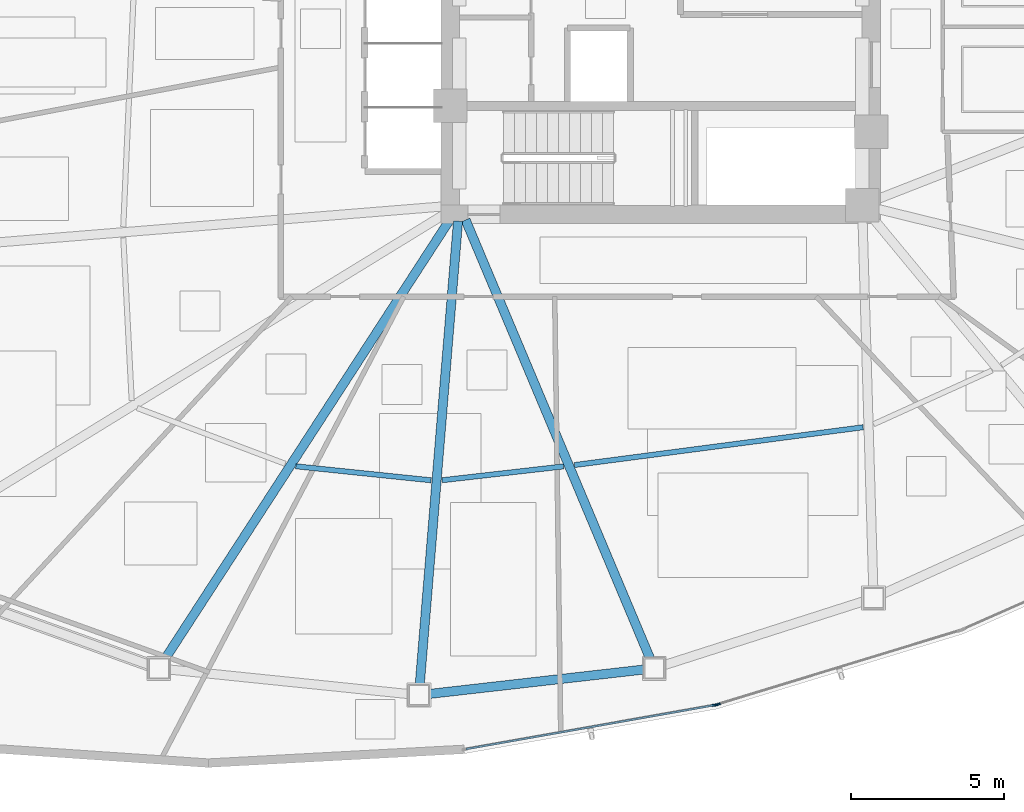
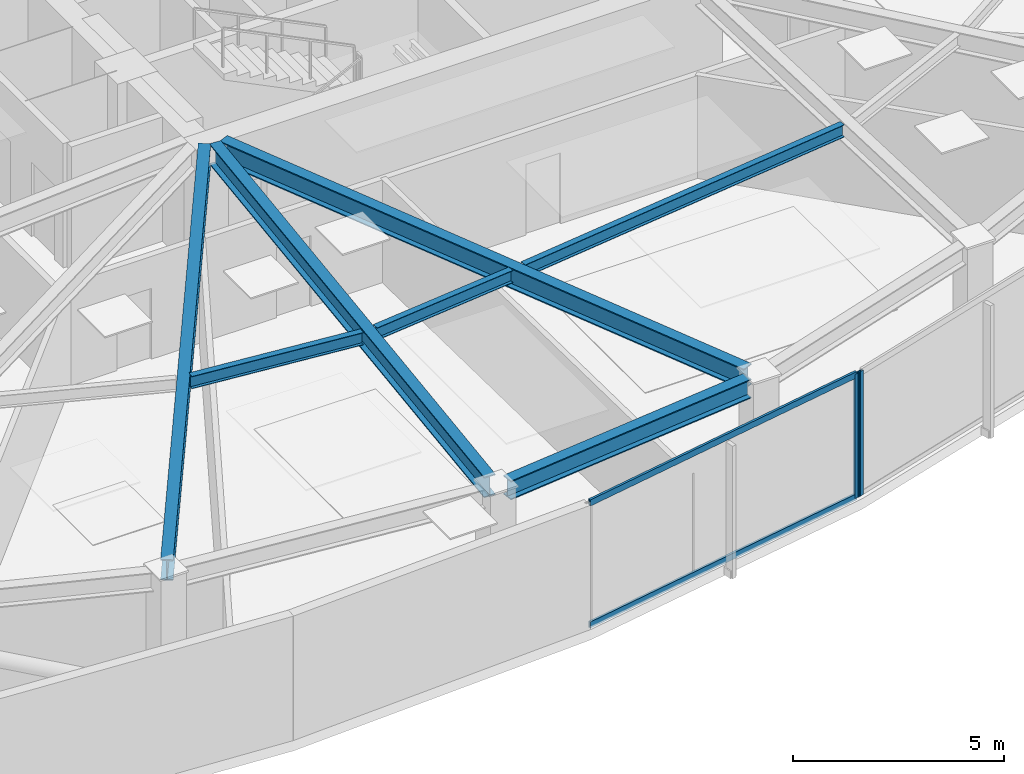
# One storey, part 3 of 17: 7 beams, 4 members, 2 elements without a shape of their own.
"""IFC4 building model written with IfcOpenShell, lengths in metres."""

from ifc_helpers import new_model, si_unit, direction, frame, origin, origin_2d, place, context, subcontext, project, spatial, hollow_rectangle, i_section, extrude, source, transform, mapped, material, layer, layer_set, material_profile, profile_set, type_object, type_shapes, element, aggregate, save


model = new_model("IFC4")

# Units and contexts
model_context = context("Model", 3, precision=1e-05, world=origin(), true_north=direction((0.0, 1.0)))
body_context = subcontext(model_context, "Body", "Model", "MODEL_VIEW")
ifc_project = project(units=[si_unit("LENGTHUNIT", "METRE"), si_unit("AREAUNIT", "SQUARE_METRE"), si_unit("VOLUMEUNIT", "CUBIC_METRE"), si_unit("PLANEANGLEUNIT", "RADIAN"), si_unit("MASSUNIT", "GRAM", prefix="KILO")], contexts=[model_context])

# Site, building, storey
site_placement = place(None, origin())
site = spatial("IfcSite", under=ifc_project, at=site_placement, CompositionType="ELEMENT")
building_placement = place(site_placement, origin())
building = spatial("IfcBuilding", under=site, at=building_placement, Name="Tavelor Broadcast Tower", CompositionType="ELEMENT")
storey_placement = place(building_placement, frame((0.0, 0.0, 82.199951171875)))
storey = spatial("IfcBuildingStorey", under=building, at=storey_placement, Name="L19", CompositionType="ELEMENT", Elevation=82.199951171875)

# Beams
ifc_material_1 = material(Name="Steel S355", Category="steel")
ifc_material_profile_1 = material_profile(ifc_material_1, i_section(OverallWidth=0.169921875, OverallDepth=0.360107421875, WebThickness=0.008056640625, FlangeThickness=0.0126953125, at=origin_2d()), Name="IPE 360")
ifc_profile_set_1 = profile_set([ifc_material_profile_1], Name="Steel S355")
beam_type_1 = type_object("IfcBeamType", Name="Composite Floor Joist T2 IPE 360", PredefinedType="JOIST", material=ifc_profile_set_1)
beam_1_placement = place(storey_placement, frame((38.04052734375, 30.240966796875, 3.420166015625), z_axis=(0.99467108558, -0.103099134387, 0.0), x_axis=(0.103099134387, 0.99467108558, 0.0)))
element("IfcBeam", 1, at=beam_1_placement, inside=storey, type_object=beam_type_1, Name="L19 Secondary Composite Floor Joist 08", PredefinedType="JOIST", context=body_context, shape_type="SweptSolid", body=[
    extrude(i_section(OverallWidth=0.169921875, OverallDepth=0.360107421875, WebThickness=0.008056640625, FlangeThickness=0.0126953125, at=origin_2d()), origin(), (0.0, 0.0, 1.0), 4.45654296875),
])
beam_2_placement = place(storey_placement, frame((42.833251953125, 29.783203125, 3.420166015625), z_axis=(0.993569155888, 0.113226906995, 0.0), x_axis=(-0.113226906995, 0.993569155888, 0.0)))
element("IfcBeam", 2, at=beam_2_placement, inside=storey, type_object=beam_type_1, Name="L19 Secondary Composite Floor Joist 09", PredefinedType="JOIST", context=body_context, shape_type="SweptSolid", body=[
    extrude(i_section(OverallWidth=0.169921875, OverallDepth=0.360107421875, WebThickness=0.008056640625, FlangeThickness=0.0126953125, at=origin_2d()), origin(), (0.0, 0.0, 1.0), 4.00634765625),
])
beam_3_placement = place(storey_placement, frame((47.173095703125, 30.281005859375, 3.420166015625), z_axis=(0.991523318151, 0.129928863469, 0.0), x_axis=(-0.129928863469, 0.991523318151, 0.0)))
element("IfcBeam", 3, at=beam_3_placement, inside=storey, type_object=beam_type_1, Name="L19 Secondary Composite Floor Joist 10", PredefinedType="JOIST", context=body_context, shape_type="SweptSolid", body=[
    extrude(i_section(OverallWidth=0.169921875, OverallDepth=0.360107421875, WebThickness=0.008056640625, FlangeThickness=0.0126953125, at=origin_2d()), origin(), (0.0, 0.0, 1.0), 9.539794921875),
])
ifc_material_profile_2 = material_profile(ifc_material_1, i_section(OverallWidth=0.300048828125, OverallDepth=0.550048828125, WebThickness=0.014892578125, FlangeThickness=0.029052734375, at=origin_2d()), Name="HEB 550")
ifc_profile_set_2 = profile_set([ifc_material_profile_2], Name="Steel S355")
beam_type_2 = type_object("IfcBeamType", Name="Perimeter Spandrel Beam T2 HEB 550", PredefinedType="SPANDREL", material=ifc_profile_set_2)
beam_4_placement = place(storey_placement, frame((42.406982421875, 22.778564453125, 3.324951171875), z_axis=(0.993591905029, 0.113027104096, 0.0), x_axis=(-0.113027104096, 0.993591905029, 0.0)))
element("IfcBeam", 4, at=beam_4_placement, inside=storey, type_object=beam_type_2, Name="L19 Framed-Tube Ring Spandrel 09", PredefinedType="SPANDREL", context=body_context, shape_type="SweptSolid", body=[
    extrude(i_section(OverallWidth=0.300048828125, OverallDepth=0.550048828125, WebThickness=0.014892578125, FlangeThickness=0.029052734375, at=origin_2d()), origin(), (0.0, 0.0, 1.0), 7.09130859375),
])
ifc_material_profile_3 = material_profile(ifc_material_1, i_section(OverallWidth=0.300048828125, OverallDepth=0.60009765625, WebThickness=0.015380859375, FlangeThickness=0.030029296875, at=origin_2d()), Name="HEB 600")
ifc_profile_set_3 = profile_set([ifc_material_profile_3], Name="Steel S355")
beam_type_3 = type_object("IfcBeamType", Name="Radial Floor Girder T2 HEB 600", PredefinedType="BEAM", material=ifc_profile_set_3)
beam_5_placement = place(storey_placement, frame((43.11279296875, 38.35693359375, 3.300048828125), z_axis=(-0.544192452451, -0.838960413068, 0.0), x_axis=(0.838960413068, -0.544192452451, 0.0)))
element("IfcBeam", 5, at=beam_5_placement, inside=storey, type_object=beam_type_3, Name="L19 Radial Primary Floor Girder 08", PredefinedType="BEAM", context=body_context, shape_type="SweptSolid", body=[
    extrude(i_section(OverallWidth=0.300048828125, OverallDepth=0.60009765625, WebThickness=0.015380859375, FlangeThickness=0.030029296875, at=origin_2d()), origin(), (0.0, 0.0, 1.0), 17.235107421875),
])
beam_6_placement = place(storey_placement, frame((43.3564453125, 38.273681640625, 3.300048828125), z_axis=(-0.082335312762, -0.996604684051, 0.0), x_axis=(0.996604684051, -0.082335312762, 0.0)))
element("IfcBeam", 6, at=beam_6_placement, inside=storey, type_object=beam_type_3, Name="L19 Radial Primary Floor Girder 09", PredefinedType="BEAM", context=body_context, shape_type="SweptSolid", body=[
    extrude(i_section(OverallWidth=0.300048828125, OverallDepth=0.60009765625, WebThickness=0.015380859375, FlangeThickness=0.030029296875, at=origin_2d()), origin(), (0.0, 0.0, 1.0), 15.25),
])
beam_7_placement = place(storey_placement, frame((43.604736328125, 38.313232421875, 3.300048828125), z_axis=(0.387755556571, -0.921762240683, 0.0), x_axis=(0.921762240683, 0.387755556571, 0.0)))
element("IfcBeam", 7, at=beam_7_placement, inside=storey, type_object=beam_type_3, Name="L19 Radial Primary Floor Girder 10", PredefinedType="BEAM", context=body_context, shape_type="SweptSolid", body=[
    extrude(i_section(OverallWidth=0.300048828125, OverallDepth=0.60009765625, WebThickness=0.015380859375, FlangeThickness=0.030029296875, at=origin_2d()), origin(), (0.0, 0.0, 1.0), 15.6064453125),
])

# Curtain wall, member
ifc_material_2 = material(Name="Architectural Anodized Aluminium", Category="aluminium")
ifc_layer = layer(ifc_material_2, 0.179931640625)
ifc_layer_set = layer_set([ifc_layer], Name="Architectural Anodized Aluminium")
curtain_wall_type = type_object("IfcCurtainWallType", Name="Tower Low-Zone Unitised Curtain Wall CW02", PredefinedType="NOTDEFINED", material=ifc_layer_set)
curtain_wall_1_placement = place(storey_placement, origin())
curtain_wall_1 = element("IfcCurtainWall", 8, at=curtain_wall_1_placement, inside=storey, type_object=curtain_wall_type, Name="L19 Curtain Wall CW02 Run 185", PredefinedType="NOTDEFINED")
ifc_material_profile_4 = material_profile(ifc_material_2, hollow_rectangle(XDim=0.06494140625, YDim=0.179931640625, WallThickness=0.02197265625, at=origin_2d()), Name="RHS 65x180x22")
ifc_profile_set_4 = profile_set([ifc_material_profile_4], Name="Architectural Anodized Aluminium")
member_type_1 = type_object("IfcMemberType", Name="CW02 Extruded Aluminium Mullion 65x180", PredefinedType="MULLION", material=ifc_profile_set_4)
shared_shape_1 = source(origin(), body_context, "Body", "SweptSolid", [
    extrude(hollow_rectangle(XDim=0.06494140625, YDim=0.179931640625, WallThickness=0.02197265625, at=origin_2d()), origin(), (0.0, 0.0, 1.0), 3.60009765625),
])
type_shapes(member_type_1, [shared_shape_1])
member_1_placement = place(storey_placement, frame((51.7734375, 22.41455078125, 0.0), z_axis=(0.0, 0.0, 1.0), x_axis=(-0.174082715166, 0.984731033471, 0.0)))
member_1 = element("IfcMember", 9, at=member_1_placement, type_object=member_type_1, Name="CW02 mullion 2", PredefinedType="MULLION", context=body_context, shape_type="MappedRepresentation", body=[
    mapped(shared_shape_1, transform((0.0, 0.0, 0.0), scale=1.0)),
])

curtain_wall_2_placement = place(storey_placement, origin())
curtain_wall_2 = element("IfcCurtainWall", 10, at=curtain_wall_2_placement, inside=storey, type_object=curtain_wall_type, Name="L19 Curtain Wall CW02 Run 186", PredefinedType="NOTDEFINED")
member_2_placement = place(storey_placement, frame((51.86572265625, 22.436767578125, 0.0), z_axis=(0.0, 0.0, 1.0), x_axis=(-0.291953772086, 0.956432430946, 0.0)))
member_2 = element("IfcMember", 11, at=member_2_placement, type_object=member_type_1, Name="CW02 mullion 1", PredefinedType="MULLION", context=body_context, shape_type="MappedRepresentation", body=[
    mapped(shared_shape_1, transform((0.0, 0.0, 0.0), scale=1.0)),
])
aggregate(curtain_wall_2, [member_2])

# Member
ifc_material_profile_5 = material_profile(ifc_material_2, hollow_rectangle(XDim=0.06494140625, YDim=0.179931640625, WallThickness=0.02197265625, at=origin_2d()), Name="RHS 65x180x22")
ifc_profile_set_5 = profile_set([ifc_material_profile_5], Name="Architectural Anodized Aluminium")
member_type_2 = type_object("IfcMemberType", Name="CW02 Extruded Aluminium Transom 65x180", PredefinedType="USERDEFINED", material=ifc_profile_set_5)
shared_shape_2 = source(origin(), body_context, "Body", "SweptSolid", [
    extrude(hollow_rectangle(XDim=0.06494140625, YDim=0.179931640625, WallThickness=0.02197265625, at=origin_2d()), origin(), (0.0, 0.0, 1.0), 8.252685546875),
])
type_shapes(member_type_2, [shared_shape_2])
member_3_placement = place(storey_placement, frame((43.61474609375, 20.972412109375, 0.032470703125), z_axis=(0.984733783086, 0.174067160744, 0.0), x_axis=(-0.174067160744, 0.984733783086, 0.0)))
member_3 = element("IfcMember", 12, at=member_3_placement, type_object=member_type_2, Name="CW02 transom 1.1", ObjectType="TRANSOM", PredefinedType="USERDEFINED", context=body_context, shape_type="MappedRepresentation", body=[
    mapped(shared_shape_2, transform((0.0, 0.0, 0.0), scale=1.0)),
])

member_4_placement = place(storey_placement, frame((43.61474609375, 20.972412109375, 3.567626953125), z_axis=(0.984733783086, 0.174067160744, 0.0), x_axis=(-0.174067160744, 0.984733783086, 0.0)))
member_4 = element("IfcMember", 13, at=member_4_placement, type_object=member_type_2, Name="CW02 transom 1.2", ObjectType="TRANSOM", PredefinedType="USERDEFINED", context=body_context, shape_type="MappedRepresentation", body=[
    mapped(shared_shape_2, transform((0.0, 0.0, 0.0), scale=1.0)),
])

aggregate(curtain_wall_1, [member_1, member_3, member_4])

save(model, "model.ifc")
